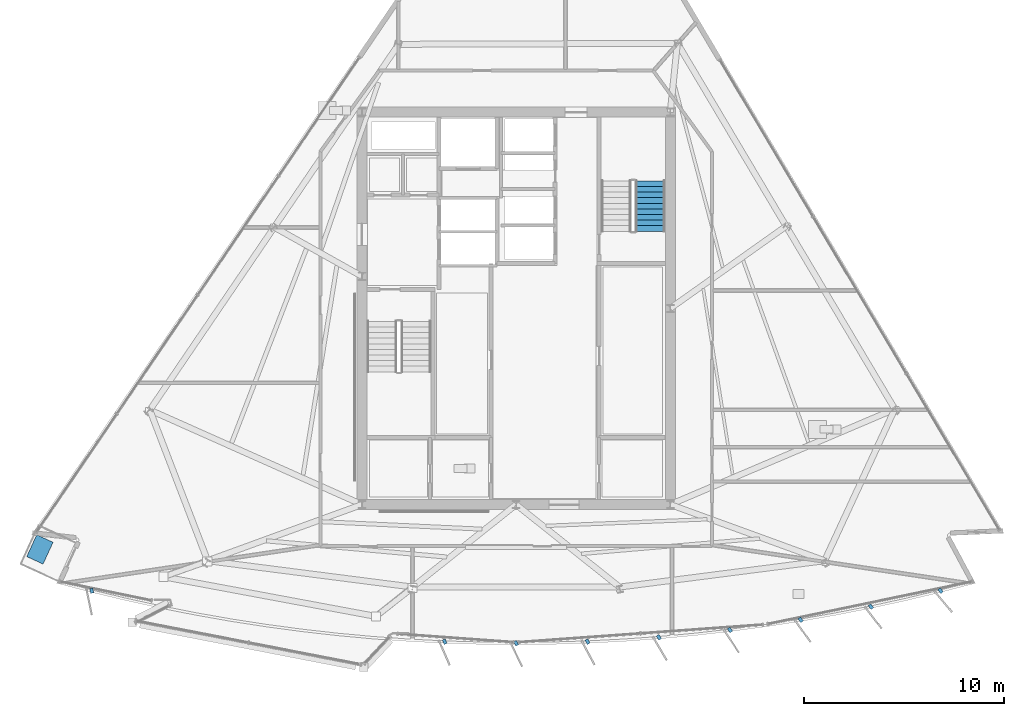
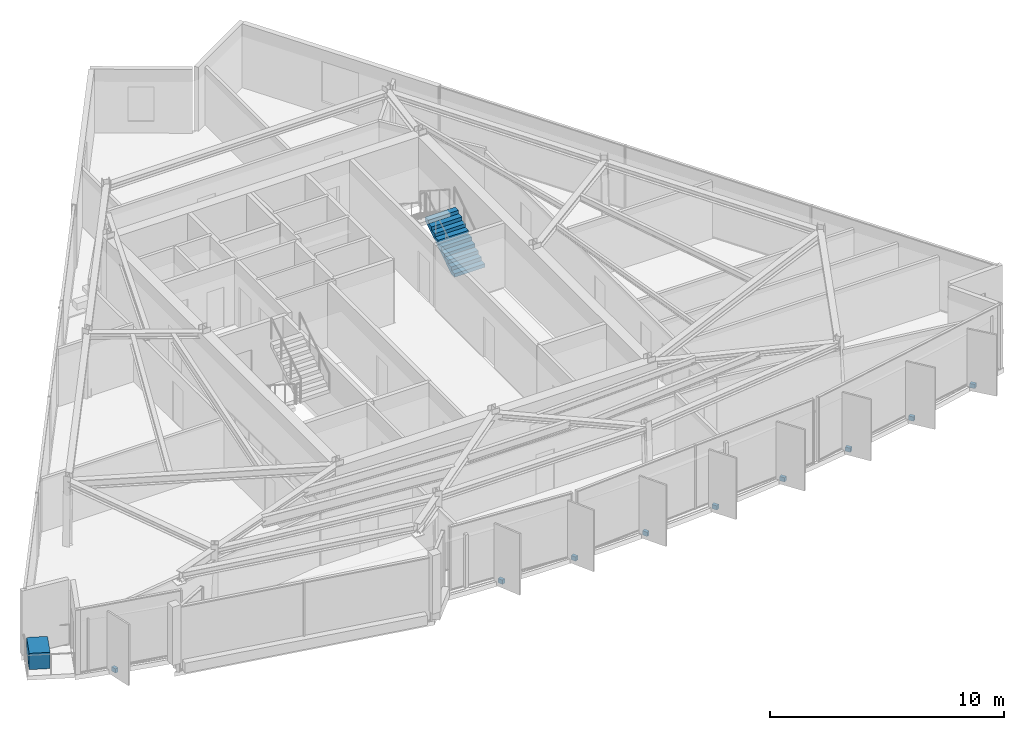
# One storey, part 9 of 13: 10 discrete accessories, 1 stair flight, 1 element without a shape of its own.
"""IFC4 building model written with IfcOpenShell, lengths in metres."""

from ifc_helpers import new_model, si_unit, direction, frame, origin, origin_2d, place, context, subcontext, project, spatial, polyline, rectangle, outline, extrude, material, type_object, element, aggregate, save


model = new_model("IFC4")

# Units and contexts
model_context = context("Model", 3, precision=1e-05, world=origin(), true_north=direction((0.0, 1.0)))
body_context = subcontext(model_context, "Body", "Model", "MODEL_VIEW")
ifc_project = project(units=[si_unit("LENGTHUNIT", "METRE"), si_unit("AREAUNIT", "SQUARE_METRE"), si_unit("VOLUMEUNIT", "CUBIC_METRE"), si_unit("PLANEANGLEUNIT", "RADIAN"), si_unit("MASSUNIT", "GRAM", prefix="KILO")], contexts=[model_context])

# Site, building, storey
site_placement = place(None, origin())
site = spatial("IfcSite", under=ifc_project, at=site_placement, CompositionType="ELEMENT")
building_placement = place(site_placement, origin())
building = spatial("IfcBuilding", under=site, at=building_placement, Name="Savorim Split Tower", CompositionType="ELEMENT")
storey_placement = place(building_placement, frame((0.0, 0.0, 272.39990234375)))
storey = spatial("IfcBuildingStorey", under=building, at=storey_placement, Name="L72", CompositionType="ELEMENT", Elevation=272.39990234375)

# Stair, stair flight
ifc_material_1 = material(Name="Concrete C50/60", Category="concrete")
stair_type = type_object("IfcStairType", Name="STR-DOG-3600", PredefinedType="HALF_TURN_STAIR", material=ifc_material_1)
stair_placement = place(storey_placement, origin())
stair = element("IfcStair", 1, at=stair_placement, inside=storey, type_object=stair_type, Name="L72 Core Protected Exit Stair ST-2", PredefinedType="HALF_TURN_STAIR")
stair_flight_type = type_object("IfcStairFlightType", Name="SFL-DOG-3600", PredefinedType="STRAIGHT", material=ifc_material_1)
stair_flight_placement = place(storey_placement, frame((6.699951171875, 4.25, 0.0), z_axis=(0.0, 0.0, 1.0), x_axis=(0.0, 1.0, 0.0)))
stair_flight = element("IfcStairFlight", 2, at=stair_flight_placement, type_object=stair_flight_type, Name="ST-2 flight 1", NumberOfRisers=10, NumberOfTreads=9, PredefinedType="STRAIGHT", RiserHeight=0.18, TreadLength=0.28, context=body_context, shape_type="SweptSolid", body=[
    extrude(outline(polyline([(0.0, 0.0), (0.0, 0.179931640625), (0.280029296875, 0.179931640625), (0.280029296875, 0.360107421875), (0.56005859375, 0.360107421875), (0.56005859375, 0.5400390625), (0.840087890625, 0.5400390625), (0.840087890625, 0.719970703125), (1.1201171875, 0.719970703125), (1.1201171875, 0.89990234375), (1.39990234375, 0.89990234375), (1.39990234375, 1.080078125), (1.679931640625, 1.080078125), (1.679931640625, 1.260009765625), (1.9599609375, 1.260009765625), (1.9599609375, 1.43994140625), (2.239990234375, 1.43994140625), (2.239990234375, 1.6201171875), (2.52001953125, 1.6201171875), (2.52001953125, 1.800048828125), (2.52001953125, 1.44189453125), (0.277099609375, 0.0), (0.0, 0.0)])), frame((0.0, 0.75, 0.0), z_axis=(0.0, -1.0, 0.0), x_axis=(1.0, 0.0, 0.0)), (0.0, 0.0, 1.0), 1.5),
])
aggregate(stair, [stair_flight])

# Discrete accessories
ifc_material_2 = material(Name="Steel S355", Category="steel")
discrete_accessory_type_1 = type_object("IfcDiscreteAccessoryType", Name="ACC-BRK-FIN", PredefinedType="BRACKET", material=ifc_material_2)
for number, where, z_axis, x_axis, name in (
    (3, (-21.19970703125, -13.70703125, -0.18994140625), (0.0, 0.0, 1.0), (0.206721626106, -0.978399800337, 0.0), "L72 Fin Slab-Edge Cleat Bracket 01"),
    (4, (-3.568115234375, -16.250244140625, -0.18994140625), (0.0, 0.0, 1.0), (0.401230091723, -0.915977299662, 0.0), "L72 Fin Slab-Edge Cleat Bracket 06"),
    (5, (0.0, -16.3232421875, -0.18994140625), (0.0, 0.0, 1.0), (0.438371146789, -0.898794046299, 0.0), "L72 Fin Slab-Edge Cleat Bracket 07"),
    (6, (3.568115234375, -16.250244140625, -0.18994140625), (0.0, 0.0, 1.0), (0.474778051978, -0.880105562623, 0.0), "L72 Fin Slab-Edge Cleat Bracket 08"),
    (7, (7.130126953125, -16.03125, -0.18994140625), (0.0, 0.0, 1.0), (0.510391336723, -0.859942255851, 0.0), "L72 Fin Slab-Edge Cleat Bracket 09"),
    (8, (10.680419921875, -15.666748046875, -0.18994140625), (0.0, 0.0, 1.0), (0.545148321708, -0.838339613366, 0.0), "L72 Fin Slab-Edge Cleat Bracket 10"),
    (9, (14.21240234375, -15.1572265625, -0.18994140625), (0.0, 0.0, 1.0), (0.578993757737, -0.815331974414, 0.0), "L72 Fin Slab-Edge Cleat Bracket 11"),
    (10, (17.720947265625, -14.503662109375, -0.18994140625), (0.0, 0.0, 1.0), (0.611868076908, -0.790959832394, 0.0), "L72 Fin Slab-Edge Cleat Bracket 12"),
    (11, (21.19970703125, -13.70703125, -0.18994140625), (0.0, 0.0, 1.0), (0.643719022682, -0.765261928909, 0.0), "L72 Fin Slab-Edge Cleat Bracket 13"),
):
    element("IfcDiscreteAccessory", number, at=place(storey_placement, frame(where, z_axis=z_axis, x_axis=x_axis)), inside=storey, type_object=discrete_accessory_type_1, Name=name, PredefinedType="BRACKET", context=body_context, shape_type="SweptSolid", body=[
        extrude(rectangle(XDim=0.239990234375, YDim=0.159912109375, at=origin_2d()), origin(), (0.0, 0.0, 1.0), 0.219970703125),
    ])
ifc_material_3 = material(Name="Architectural Precast Planter Concrete C40/50", Category="concrete")
discrete_accessory_type_2 = type_object("IfcDiscreteAccessoryType", Name="ACC-PLN-TREE", PredefinedType="USERDEFINED", material=ifc_material_3)
discrete_accessory_placement = place(storey_placement, frame((-23.78857421875, -11.642822265625, 0.0), z_axis=(0.0, 0.0, 1.0), x_axis=(-0.417505513461, -0.908674389553, 0.0)))
element("IfcDiscreteAccessory", 12, at=discrete_accessory_placement, inside=storey, type_object=discrete_accessory_type_2, Name="L72 Balcony Precast Tree Planter SW", ObjectType="PLANTER", PredefinedType="USERDEFINED", context=body_context, shape_type="SweptSolid", body=[
    extrude(rectangle(XDim=1.199951171875, YDim=0.89990234375, at=origin_2d()), origin(), (0.0, 0.0, 1.0), 0.85009765625),
])

save(model, "model.ifc")
